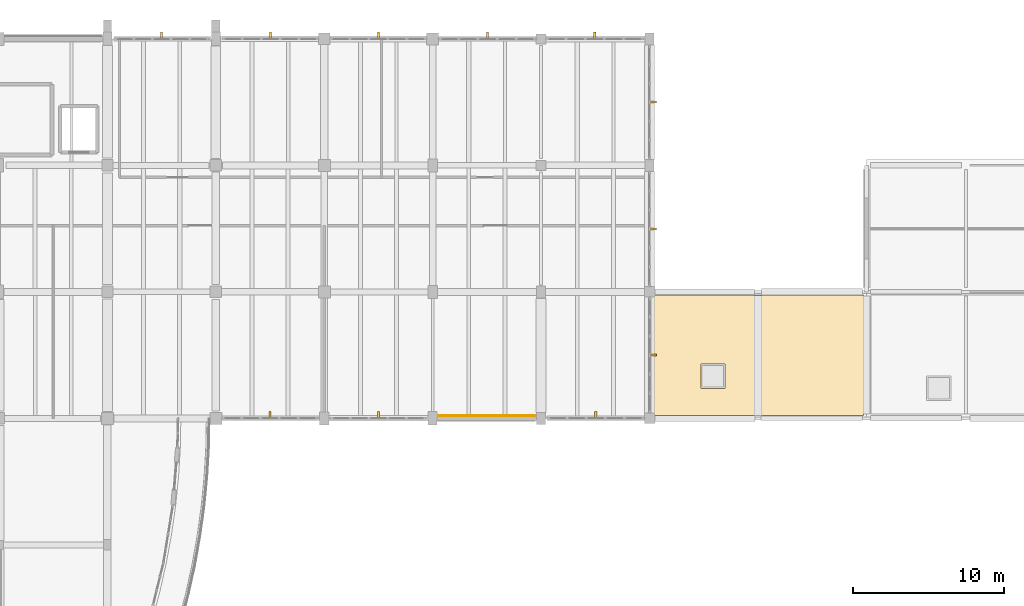
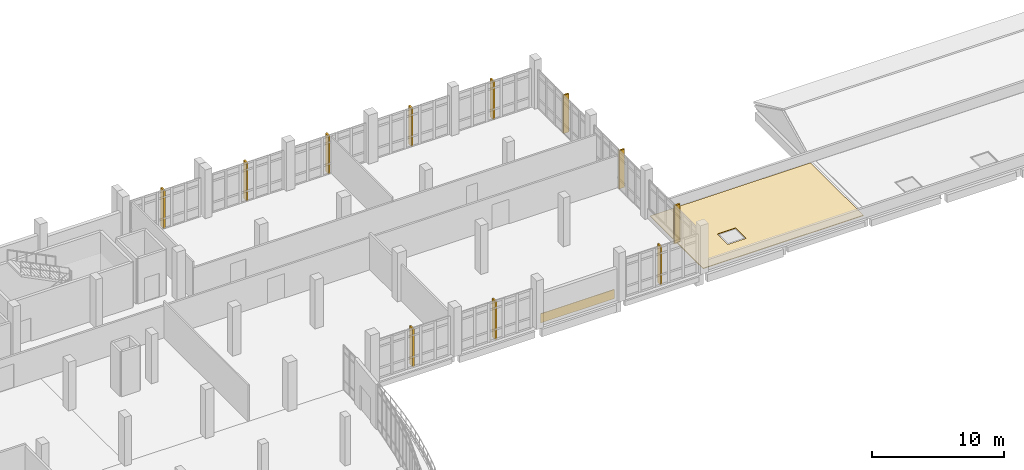
# One storey, part 123 of 124: 11 shading devices, 2 coverings.
"""IFC4 building model written with IfcOpenShell, lengths in metres."""

from ifc_helpers import new_model, si_unit, direction, frame, origin, origin_2d, place, context, subcontext, project, spatial, polyline, rectangle, outline, extrude, material, layer, layer_set, type_object, element, save


model = new_model("IFC4")

# Units and contexts
model_context = context("Model", 3, precision=1e-05, world=origin(), true_north=direction((0.0, 1.0)))
body_context = subcontext(model_context, "Body", "Model", "MODEL_VIEW")
ifc_project = project(units=[si_unit("LENGTHUNIT", "METRE"), si_unit("AREAUNIT", "SQUARE_METRE"), si_unit("VOLUMEUNIT", "CUBIC_METRE"), si_unit("PLANEANGLEUNIT", "RADIAN"), si_unit("MASSUNIT", "GRAM", prefix="KILO")], contexts=[model_context])

# Site, building, storey
site_placement = place(None, origin())
site = spatial("IfcSite", under=ifc_project, at=site_placement, CompositionType="ELEMENT")
building_placement = place(site_placement, origin())
building = spatial("IfcBuilding", under=site, at=building_placement, Name="Kalluvel Institute of Natural Sciences", CompositionType="ELEMENT")
storey_placement = place(building_placement, frame((0.0, 0.0, 9.89990234375)))
storey = spatial("IfcBuildingStorey", under=building, at=storey_placement, Name="L02", CompositionType="ELEMENT", Elevation=9.89990234375)

# Coverings
ifc_material_1 = material(Name="Sadarahalli Grey Granite Ashlar Concrete M40", Category="masonry")
ifc_layer_1 = layer(ifc_material_1, 0.044921875)
ifc_layer_set_1 = layer_set([ifc_layer_1], Name="Sadarahalli Grey Granite Ashlar Concrete M40")
covering_type_1 = type_object("IfcCoveringType", Name="COV-CLAD-STONE", PredefinedType="CLADDING", material=ifc_layer_set_1)
covering_1_placement = place(storey_placement, frame((104.0, 102.969970703125, 0.025146484375), z_axis=(0.0, 0.0, 1.0), x_axis=(1.0, 0.0, 0.0)))
element("IfcCovering", 1, at=covering_1_placement, inside=storey, type_object=covering_type_1, Name="L02 Sadarahalli granite plinth spandrel cladding 32", PredefinedType="CLADDING", context=body_context, shape_type="SweptSolid", body=[
    extrude(rectangle(XDim=6.43994140625, YDim=0.044921875, at=origin_2d()), origin(), (0.0, 0.0, 1.0), 0.85009765625),
])
ifc_material_2 = material(Name="SBS Polymer-Modified Bitumen Waterproofing", Category="bitumen")
ifc_layer_2 = layer(ifc_material_2, 0.06005859375)
ifc_layer_set_2 = layer_set([ifc_layer_2], Name="SBS Polymer-Modified Bitumen Waterproofing")
covering_type_2 = type_object("IfcCoveringType", Name="COV-ROOF-SBS", PredefinedType="ROOFING", material=ifc_layer_set_2)
covering_2_placement = place(storey_placement, origin())
element("IfcCovering", 2, at=covering_2_placement, inside=storey, type_object=covering_type_2, Name="L02 SBS roof waterproofing build-up RM-L02-CLK", PredefinedType="ROOFING", context=body_context, shape_type="SweptSolid", body=[
    extrude(outline(polyline([(115.0, 103.0), (129.0, 103.0), (129.0, 111.0), (115.0, 111.0), (115.0, 103.0)]), holes=[polyline([(118.199951171875, 104.800048828125), (119.800048828125, 104.800048828125), (119.800048828125, 106.39990234375), (118.199951171875, 106.39990234375), (118.199951171875, 104.800048828125)])]), origin(), (0.0, 0.0, 1.0), 0.06005859375),
])

# Shading devices
shading_device_type = type_object("IfcShadingDeviceType", Name="SHD-FIN-STONE", PredefinedType="USERDEFINED", material=ifc_material_1)
for number, where, z_axis, x_axis, name in (
    (3, (82.39990234375, 128.219970703125, 0.0), (0.0, 0.0, 1.0), (1.0, 0.0, 0.0), "L02 monsoon lancet shading fin 21"),
    (4, (89.637451171875, 128.219970703125, 0.0), (0.0, 0.0, 1.0), (1.0, 0.0, 0.0), "L02 monsoon lancet shading fin 22"),
    (5, (96.78759765625, 128.219970703125, 0.0), (0.0, 0.0, 1.0), (1.0, 0.0, 0.0), "L02 monsoon lancet shading fin 23"),
    (6, (104.03759765625, 128.219970703125, 0.0), (0.0, 0.0, 1.0), (1.0, 0.0, 0.0), "L02 monsoon lancet shading fin 24"),
    (7, (111.16259765625, 128.219970703125, 0.0), (0.0, 0.0, 1.0), (1.0, 0.0, 0.0), "L02 monsoon lancet shading fin 25"),
    (8, (89.58740234375, 103.02001953125, 0.0), (0.0, 0.0, 1.0), (1.0, 0.0, 0.0), "L02 monsoon lancet shading fin 26"),
    (9, (96.78759765625, 103.02001953125, 0.0), (0.0, 0.0, 1.0), (1.0, 0.0, 0.0), "L02 monsoon lancet shading fin 27"),
    (10, (111.22509765625, 103.02001953125, 0.0), (0.0, 0.0, 1.0), (1.0, 0.0, 0.0), "L02 monsoon lancet shading fin 28"),
    (11, (115.02001953125, 107.0, 0.0), (0.0, 0.0, 1.0), (0.0, 1.0, 0.0), "L02 monsoon lancet shading fin 29"),
    (12, (115.02001953125, 115.375, 0.0), (0.0, 0.0, 1.0), (0.0, 1.0, 0.0), "L02 monsoon lancet shading fin 30"),
    (13, (115.02001953125, 123.800048828125, 0.0), (0.0, 0.0, 1.0), (0.0, 1.0, 0.0), "L02 monsoon lancet shading fin 31"),
):
    element("IfcShadingDevice", number, at=place(storey_placement, frame(where, z_axis=z_axis, x_axis=x_axis)), inside=storey, type_object=shading_device_type, Name=name, ObjectType="MONSOON FIN", PredefinedType="USERDEFINED", context=body_context, shape_type="SweptSolid", body=[
        extrude(rectangle(XDim=0.139892578125, YDim=0.47998046875, at=origin_2d()), origin(), (0.0, 0.0, 1.0), 3.530029296875),
    ])

save(model, "model.ifc")
